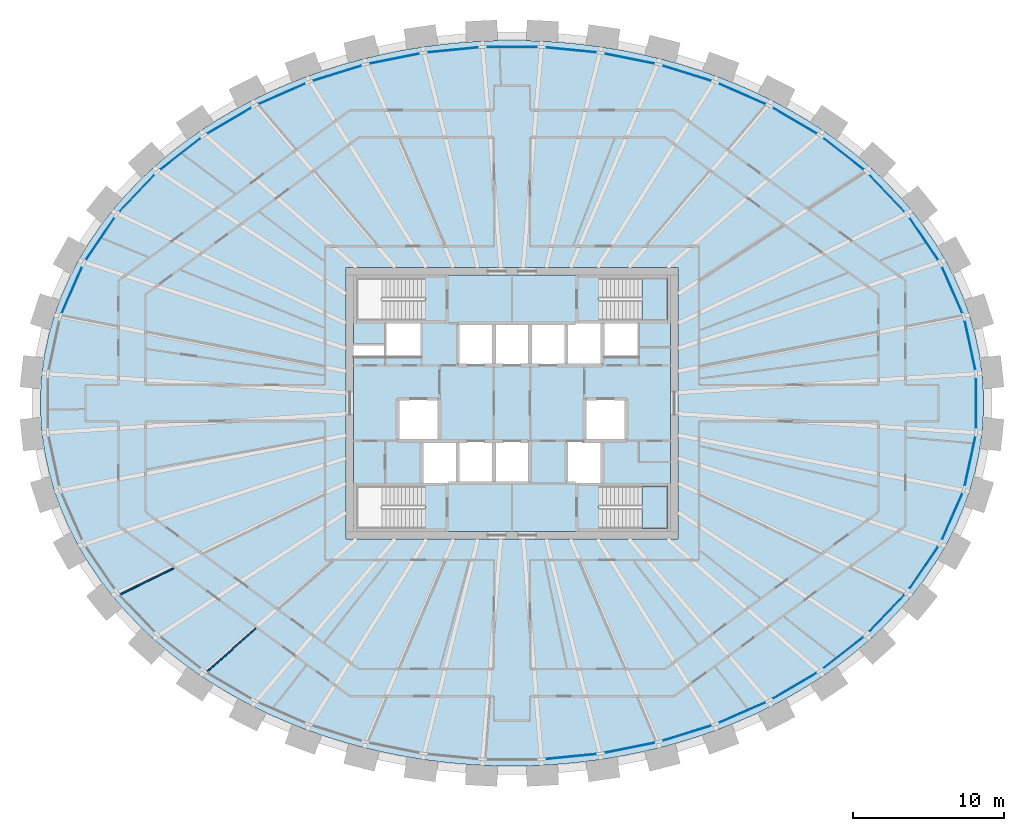
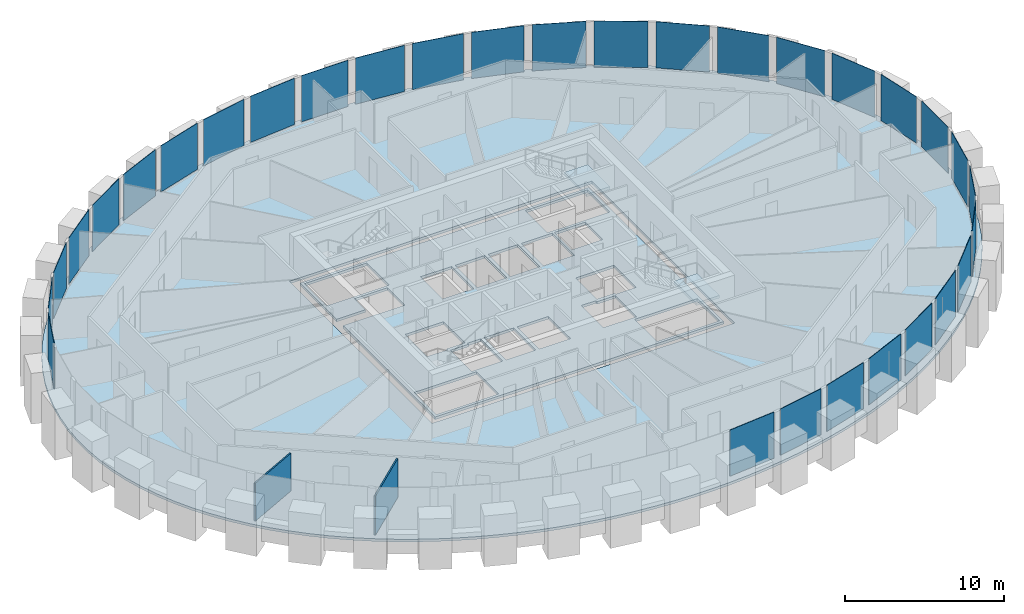
# One storey, part 5 of 12: 31 plates, 4 slabs, 2 walls, 3 elements without a shape of their own.
"""IFC4 building model written with IfcOpenShell, lengths in metres."""

from ifc_helpers import new_model, si_unit, direction, frame, frame_2d, origin, origin_2d, place, context, subcontext, project, spatial, polyline, rectangle, outline, extrude, source, transform, mapped, material, layer, layer_set, type_object, element, aggregate, save


model = new_model("IFC4")

# Units and contexts
model_context = context("Model", 3, precision=1e-05, world=origin(), true_north=direction((0.0, 1.0)))
body_context = subcontext(model_context, "Body", "Model", "MODEL_VIEW")
ifc_project = project(units=[si_unit("LENGTHUNIT", "METRE"), si_unit("AREAUNIT", "SQUARE_METRE"), si_unit("VOLUMEUNIT", "CUBIC_METRE"), si_unit("PLANEANGLEUNIT", "RADIAN"), si_unit("MASSUNIT", "GRAM", prefix="KILO")], contexts=[model_context])

# Site, building, storey
site_placement = place(None, origin())
site = spatial("IfcSite", under=ifc_project, at=site_placement, CompositionType="ELEMENT")
building_placement = place(site_placement, origin())
building = spatial("IfcBuilding", under=site, at=building_placement, Name="Embergate Tower", CompositionType="ELEMENT")
storey_placement = place(building_placement, frame((0.0, 0.0, 281.199951171875)))
storey = spatial("IfcBuildingStorey", under=building, at=storey_placement, Name="L65", CompositionType="ELEMENT", Elevation=281.199951171875)

# Slab
ifc_material_1 = material(Name="Concrete C40", Category="concrete")
ifc_layer_1 = layer(ifc_material_1, 0.199951171875)
ifc_layer_set_1 = layer_set([ifc_layer_1], Name="Concrete C40")
slab_type_1 = type_object("IfcSlabType", Name="Composite floor slab C40 200", PredefinedType="FLOOR", material=ifc_layer_set_1)
shared_shape_1 = source(origin(), body_context, "Body", "SweptSolid", [
    extrude(outline(polyline([(0.0, 0.0), (1.32177734375, 0.0), (2.643798828125, 0.04296875), (3.9658203125, 0.130126953125), (5.282958984375, 0.259033203125), (6.5908203125, 0.430908203125), (7.90087890625, 0.64794921875), (9.197998046875, 0.908935546875), (10.47900390625, 1.2109375), (11.762939453125, 1.56201171875), (13.02490234375, 1.955078125), (14.264892578125, 2.39013671875), (15.505859375, 2.8779296875), (16.7177734375, 3.407958984375), (17.89794921875, 3.97900390625), (19.076904296875, 4.60791015625), (20.216796875, 5.279052734375), (21.31591796875, 5.988037109375), (22.406982421875, 6.762939453125), (23.449951171875, 7.576904296875), (24.44091796875, 8.427001953125), (25.412841796875, 9.34814453125), (26.325927734375, 10.304931640625), (27.17578125, 11.296142578125), (27.990966796875, 12.35791015625), (28.73388671875, 13.450927734375), (29.40380859375, 14.572021484375), (30.016845703125, 15.759033203125), (30.5478515625, 16.968994140625), (30.994873046875, 18.199951171875), (31.36376953125, 19.47802734375), (31.641845703125, 20.77001953125), (31.827880859375, 22.071044921875), (31.921875, 23.39013671875), (31.921875, 24.7119140625), (31.827880859375, 26.031005859375), (31.641845703125, 27.33203125), (31.36376953125, 28.6240234375), (30.994873046875, 29.902099609375), (30.5478515625, 31.133056640625), (30.016845703125, 32.343017578125), (29.40380859375, 33.530029296875), (28.73388671875, 34.651123046875), (27.990966796875, 35.744140625), (27.17578125, 36.805908203125), (26.325927734375, 37.797119140625), (25.412841796875, 38.75390625), (24.44091796875, 39.675048828125), (23.449951171875, 40.525146484375), (22.406982421875, 41.339111328125), (21.31591796875, 42.114013671875), (20.216796875, 42.822998046875), (19.076904296875, 43.494140625), (17.89794921875, 44.123046875), (16.7177734375, 44.694091796875), (15.505859375, 45.22412109375), (14.264892578125, 45.7119140625), (13.02490234375, 46.14697265625), (11.762939453125, 46.5400390625), (10.47900390625, 46.89111328125), (9.197998046875, 47.193115234375), (7.90087890625, 47.4541015625), (6.5908203125, 47.671142578125), (5.282958984375, 47.843017578125), (3.9658203125, 47.971923828125), (2.643798828125, 48.05908203125), (1.32177734375, 48.10205078125), (0.0, 48.10205078125), (-1.322021484375, 48.05908203125), (-2.64404296875, 47.971923828125), (-3.961181640625, 47.843017578125), (-5.26904296875, 47.671142578125), (-6.5791015625, 47.4541015625), (-7.876220703125, 47.193115234375), (-9.1572265625, 46.89111328125), (-10.441162109375, 46.5400390625), (-11.703125, 46.14697265625), (-12.943115234375, 45.7119140625), (-14.18408203125, 45.22412109375), (-15.39599609375, 44.694091796875), (-16.576171875, 44.123046875), (-17.755126953125, 43.494140625), (-18.89501953125, 42.822998046875), (-19.994140625, 42.114013671875), (-21.085205078125, 41.339111328125), (-22.128173828125, 40.525146484375), (-23.119140625, 39.675048828125), (-24.091064453125, 38.75390625), (-25.004150390625, 37.797119140625), (-25.85400390625, 36.805908203125), (-26.669189453125, 35.744140625), (-27.412109375, 34.651123046875), (-28.08203125, 33.530029296875), (-28.695068359375, 32.343017578125), (-29.22607421875, 31.133056640625), (-29.673095703125, 29.902099609375), (-30.0419921875, 28.6240234375), (-30.320068359375, 27.33203125), (-30.506103515625, 26.031005859375), (-30.60009765625, 24.7119140625), (-30.60009765625, 23.39013671875), (-30.506103515625, 22.071044921875), (-30.320068359375, 20.77001953125), (-30.0419921875, 19.47802734375), (-29.673095703125, 18.199951171875), (-29.22607421875, 16.968994140625), (-28.695068359375, 15.759033203125), (-28.08203125, 14.572021484375), (-27.412109375, 13.450927734375), (-26.669189453125, 12.35791015625), (-25.85400390625, 11.296142578125), (-25.004150390625, 10.304931640625), (-24.091064453125, 9.34814453125), (-23.119140625, 8.427001953125), (-22.128173828125, 7.576904296875), (-21.085205078125, 6.762939453125), (-19.994140625, 5.988037109375), (-18.89501953125, 5.279052734375), (-17.755126953125, 4.60791015625), (-16.576171875, 3.97900390625), (-15.39599609375, 3.407958984375), (-14.18408203125, 2.8779296875), (-12.943115234375, 2.39013671875), (-11.703125, 1.955078125), (-10.441162109375, 1.56201171875), (-9.1572265625, 1.2109375), (-7.876220703125, 0.908935546875), (-6.5791015625, 0.64794921875), (-5.26904296875, 0.430908203125), (-3.961181640625, 0.259033203125), (-2.64404296875, 0.130126953125), (-1.322021484375, 0.04296875), (0.0, 0.0)]), holes=[polyline([(-10.339111328125, 15.051025390625), (-10.339111328125, 33.051025390625), (11.660888671875, 33.051025390625), (11.660888671875, 15.051025390625), (-10.339111328125, 15.051025390625)])]), origin(), (0.0, 0.0, 1.0), 0.199951171875),
])
slab_1_placement = place(storey_placement, frame((-0.660888671875, -24.051025390625, -0.199951171875)))
element("IfcSlab", 1, at=slab_1_placement, inside=storey, type_object=slab_type_1, Name="SLB-L65-00", PredefinedType="FLOOR", context=body_context, shape_type="MappedRepresentation", body=[
    mapped(shared_shape_1, transform((0.0, 0.0, 0.0))),
])

# Curtain wall, plates
ifc_material_2 = material(Name="Aluminium and glass", Category="aluminium")
curtain_wall_type = type_object("IfcCurtainWallType", Name="Recessed office glazing", PredefinedType="NOTDEFINED", material=ifc_material_2)
curtain_wall_placement = place(storey_placement, origin())
curtain_wall = element("IfcCurtainWall", 2, at=curtain_wall_placement, inside=storey, type_object=curtain_wall_type, Name="Recessed office glazing ring", ObjectType="RECESSED OFFICE GLAZING", PredefinedType="USERDEFINED")
ifc_material_3 = material(Name="Triple glazing, low-emissivity coating", Category="glass")
ifc_layer_2 = layer(ifc_material_3, 0.035888671875)
ifc_layer_set_2 = layer_set([ifc_layer_2], Name="Triple glazing, low-emissivity coating")
plate_type = type_object("IfcPlateType", Name="Office glazing unit", PredefinedType="CURTAIN_PANEL", material=ifc_layer_set_2)
shared_shape_2 = source(origin(), body_context, "Body", "SweptSolid", [
    extrude(rectangle(XDim=3.359130859375, YDim=0.035888671875, at=origin_2d()), origin(), (0.0, 0.0, 1.0), 3.550048828125),
])
plate_1_placement = place(storey_placement, frame((30.37109375, 3.834228515625, 0.14990234375), z_axis=(0.0, 0.0, 1.0), x_axis=(-0.210401803698, 0.977614996305, 0.0)))
plate_1 = element("IfcPlate", 3, at=plate_1_placement, type_object=plate_type, Name="CW panel 1.1", PredefinedType="CURTAIN_PANEL", context=body_context, shape_type="MappedRepresentation", body=[
    mapped(shared_shape_2, transform((0.0, 0.0, 0.0))),
])
plate_2_placement = place(storey_placement, frame((30.37109375, -3.834228515625, 0.14990234375), z_axis=(0.0, 0.0, 1.0), x_axis=(0.210401803698, 0.977614996305, 0.0)))
plate_2 = element("IfcPlate", 4, at=plate_2_placement, type_object=plate_type, Name="CW panel 43.1", PredefinedType="CURTAIN_PANEL", context=body_context, shape_type="MappedRepresentation", body=[
    mapped(shared_shape_2, transform((0.0, 0.0, 0.0))),
])
shared_shape_3 = source(origin(), body_context, "Body", "SweptSolid", [
    extrude(rectangle(XDim=3.36572265625, YDim=0.035888671875, at=origin_2d()), origin(), (0.0, 0.0, 1.0), 3.550048828125),
])
plate_3_placement = place(storey_placement, frame((29.1826171875, 7.509765625, 0.14990234375), z_axis=(0.0, 0.0, 1.0), x_axis=(-0.401658494584, 0.915789524797, 0.0)))
plate_3 = element("IfcPlate", 5, at=plate_3_placement, type_object=plate_type, Name="CW panel 2.1", PredefinedType="CURTAIN_PANEL", context=body_context, shape_type="MappedRepresentation", body=[
    mapped(shared_shape_3, transform((0.0, 0.0, 0.0))),
])
plate_4_placement = place(storey_placement, frame((-29.1826171875, 7.509765625, 0.14990234375), z_axis=(0.0, 0.0, 1.0), x_axis=(-0.401658494584, -0.915789524797, 0.0)))
plate_4 = element("IfcPlate", 6, at=plate_4_placement, type_object=plate_type, Name="CW panel 20.1", PredefinedType="CURTAIN_PANEL", context=body_context, shape_type="MappedRepresentation", body=[
    mapped(shared_shape_3, transform((0.0, 0.0, 0.0))),
])
plate_5_placement = place(storey_placement, frame((29.1826171875, -7.509765625, 0.14990234375), z_axis=(0.0, 0.0, 1.0), x_axis=(0.401658494584, 0.915789524797, 0.0)))
plate_5 = element("IfcPlate", 7, at=plate_5_placement, type_object=plate_type, Name="CW panel 42.1", PredefinedType="CURTAIN_PANEL", context=body_context, shape_type="MappedRepresentation", body=[
    mapped(shared_shape_3, transform((0.0, 0.0, 0.0))),
])
shared_shape_4 = source(origin(), body_context, "Body", "SweptSolid", [
    extrude(rectangle(XDim=3.37451171875, YDim=0.035888671875, at=origin_2d()), origin(), (0.0, 0.0, 1.0), 3.550048828125),
])
plate_6_placement = place(storey_placement, frame((27.30712890625, 10.899169921875, 0.14990234375), z_axis=(0.0, 0.0, 1.0), x_axis=(-0.562347514787, 0.826901005328, 0.0)))
plate_6 = element("IfcPlate", 8, at=plate_6_placement, type_object=plate_type, Name="CW panel 3.1", PredefinedType="CURTAIN_PANEL", context=body_context, shape_type="MappedRepresentation", body=[
    mapped(shared_shape_4, transform((0.0, 0.0, 0.0))),
])
plate_7_placement = place(storey_placement, frame((-27.30712890625, 10.899169921875, 0.14990234375), z_axis=(0.0, 0.0, 1.0), x_axis=(-0.562347514787, -0.826901005328, 0.0)))
plate_7 = element("IfcPlate", 9, at=plate_7_placement, type_object=plate_type, Name="CW panel 19.1", PredefinedType="CURTAIN_PANEL", context=body_context, shape_type="MappedRepresentation", body=[
    mapped(shared_shape_4, transform((0.0, 0.0, 0.0))),
])
plate_8_placement = place(storey_placement, frame((27.30712890625, -10.899169921875, 0.14990234375), z_axis=(0.0, 0.0, 1.0), x_axis=(0.562347514787, 0.826901005328, 0.0)))
plate_8 = element("IfcPlate", 10, at=plate_8_placement, type_object=plate_type, Name="CW panel 41.1", PredefinedType="CURTAIN_PANEL", context=body_context, shape_type="MappedRepresentation", body=[
    mapped(shared_shape_4, transform((0.0, 0.0, 0.0))),
])
shared_shape_5 = source(origin(), body_context, "Body", "SweptSolid", [
    extrude(rectangle(XDim=3.3828125, YDim=0.035888671875, at=origin_2d()), origin(), (0.0, 0.0, 1.0), 3.550048828125),
])
plate_9_placement = place(storey_placement, frame((24.865478515625, 13.921630859375, 0.14990234375), z_axis=(0.0, 0.0, 1.0), x_axis=(-0.6901388367, 0.723676990154, 0.0)))
plate_9 = element("IfcPlate", 11, at=plate_9_placement, type_object=plate_type, Name="CW panel 4.1", PredefinedType="CURTAIN_PANEL", context=body_context, shape_type="MappedRepresentation", body=[
    mapped(shared_shape_5, transform((0.0, 0.0, 0.0))),
])
plate_10_placement = place(storey_placement, frame((-24.865478515625, 13.921630859375, 0.14990234375), z_axis=(0.0, 0.0, 1.0), x_axis=(-0.6901388367, -0.723676990154, 0.0)))
plate_10 = element("IfcPlate", 12, at=plate_10_placement, type_object=plate_type, Name="CW panel 18.1", PredefinedType="CURTAIN_PANEL", context=body_context, shape_type="MappedRepresentation", body=[
    mapped(shared_shape_5, transform((0.0, 0.0, 0.0))),
])
plate_11_placement = place(storey_placement, frame((24.865478515625, -13.921630859375, 0.14990234375), z_axis=(0.0, 0.0, 1.0), x_axis=(0.6901388367, 0.723676990154, 0.0)))
plate_11 = element("IfcPlate", 13, at=plate_11_placement, type_object=plate_type, Name="CW panel 40.1", PredefinedType="CURTAIN_PANEL", context=body_context, shape_type="MappedRepresentation", body=[
    mapped(shared_shape_5, transform((0.0, 0.0, 0.0))),
])
shared_shape_6 = source(origin(), body_context, "Body", "SweptSolid", [
    extrude(rectangle(XDim=3.390380859375, YDim=0.035888671875, at=origin_2d()), origin(), (0.0, 0.0, 1.0), 3.550048828125),
])
plate_12_placement = place(storey_placement, frame((21.977294921875, 16.536865234375, 0.14990234375), z_axis=(0.0, 0.0, 1.0), x_axis=(-0.788323340765, 0.615261172515, 0.0)))
plate_12 = element("IfcPlate", 14, at=plate_12_placement, type_object=plate_type, Name="CW panel 5.1", PredefinedType="CURTAIN_PANEL", context=body_context, shape_type="MappedRepresentation", body=[
    mapped(shared_shape_6, transform((0.0, 0.0, 0.0))),
])
plate_13_placement = place(storey_placement, frame((-21.977294921875, 16.536865234375, 0.14990234375), z_axis=(0.0, 0.0, 1.0), x_axis=(-0.788323340765, -0.615261172515, 0.0)))
plate_13 = element("IfcPlate", 15, at=plate_13_placement, type_object=plate_type, Name="CW panel 17.1", PredefinedType="CURTAIN_PANEL", context=body_context, shape_type="MappedRepresentation", body=[
    mapped(shared_shape_6, transform((0.0, 0.0, 0.0))),
])
plate_14_placement = place(storey_placement, frame((21.977294921875, -16.536865234375, 0.14990234375), z_axis=(0.0, 0.0, 1.0), x_axis=(0.788323340765, 0.615261172515, 0.0)))
plate_14 = element("IfcPlate", 16, at=plate_14_placement, type_object=plate_type, Name="CW panel 39.1", PredefinedType="CURTAIN_PANEL", context=body_context, shape_type="MappedRepresentation", body=[
    mapped(shared_shape_6, transform((0.0, 0.0, 0.0))),
])
shared_shape_7 = source(origin(), body_context, "Body", "SweptSolid", [
    extrude(rectangle(XDim=3.39599609375, YDim=0.035888671875, at=origin_2d()), origin(), (0.0, 0.0, 1.0), 3.550048828125),
])
plate_15_placement = place(storey_placement, frame((18.748046875, 18.732177734375, 0.14990234375), z_axis=(0.0, 0.0, 1.0), x_axis=(-0.862054936934, 0.506814843614, 0.0)))
plate_15 = element("IfcPlate", 17, at=plate_15_placement, type_object=plate_type, Name="CW panel 6.1", PredefinedType="CURTAIN_PANEL", context=body_context, shape_type="MappedRepresentation", body=[
    mapped(shared_shape_7, transform((0.0, 0.0, 0.0))),
])
plate_16_placement = place(storey_placement, frame((-18.748046875, 18.732177734375, 0.14990234375), z_axis=(0.0, 0.0, 1.0), x_axis=(-0.862054936934, -0.506814843614, 0.0)))
plate_16 = element("IfcPlate", 18, at=plate_16_placement, type_object=plate_type, Name="CW panel 16.1", PredefinedType="CURTAIN_PANEL", context=body_context, shape_type="MappedRepresentation", body=[
    mapped(shared_shape_7, transform((0.0, 0.0, 0.0))),
])
plate_17_placement = place(storey_placement, frame((18.748046875, -18.732177734375, 0.14990234375), z_axis=(0.0, 0.0, 1.0), x_axis=(0.862054936934, 0.506814843614, 0.0)))
plate_17 = element("IfcPlate", 19, at=plate_17_placement, type_object=plate_type, Name="CW panel 38.1", PredefinedType="CURTAIN_PANEL", context=body_context, shape_type="MappedRepresentation", body=[
    mapped(shared_shape_7, transform((0.0, 0.0, 0.0))),
])
shared_shape_8 = source(origin(), body_context, "Body", "SweptSolid", [
    extrude(rectangle(XDim=3.400634765625, YDim=0.035888671875, at=origin_2d()), origin(), (0.0, 0.0, 1.0), 3.550048828125),
])
plate_18_placement = place(storey_placement, frame((15.263916015625, 20.509765625, 0.14990234375), z_axis=(0.0, 0.0, 1.0), x_axis=(-0.916236910986, 0.400636896638, 0.0)))
plate_18 = element("IfcPlate", 20, at=plate_18_placement, type_object=plate_type, Name="CW panel 7.1", PredefinedType="CURTAIN_PANEL", context=body_context, shape_type="MappedRepresentation", body=[
    mapped(shared_shape_8, transform((0.0, 0.0, 0.0))),
])
plate_19_placement = place(storey_placement, frame((-15.263916015625, 20.509765625, 0.14990234375), z_axis=(0.0, 0.0, 1.0), x_axis=(-0.916236910986, -0.400636896638, 0.0)))
plate_19 = element("IfcPlate", 21, at=plate_19_placement, type_object=plate_type, Name="CW panel 15.1", PredefinedType="CURTAIN_PANEL", context=body_context, shape_type="MappedRepresentation", body=[
    mapped(shared_shape_8, transform((0.0, 0.0, 0.0))),
])
plate_20_placement = place(storey_placement, frame((15.263916015625, -20.509765625, 0.14990234375), z_axis=(0.0, 0.0, 1.0), x_axis=(0.916236910986, 0.400636896638, 0.0)))
plate_20 = element("IfcPlate", 22, at=plate_20_placement, type_object=plate_type, Name="CW panel 37.1", PredefinedType="CURTAIN_PANEL", context=body_context, shape_type="MappedRepresentation", body=[
    mapped(shared_shape_8, transform((0.0, 0.0, 0.0))),
])
shared_shape_9 = source(origin(), body_context, "Body", "SweptSolid", [
    extrude(rectangle(XDim=3.40380859375, YDim=0.035888671875, at=origin_2d()), origin(), (0.0, 0.0, 1.0), 3.550048828125),
])
plate_21_placement = place(storey_placement, frame((11.5947265625, 21.87841796875, 0.14990234375), z_axis=(0.0, 0.0, 1.0), x_axis=(-0.954772736126, 0.297336547283, 0.0)))
plate_21 = element("IfcPlate", 23, at=plate_21_placement, type_object=plate_type, Name="CW panel 8.1", PredefinedType="CURTAIN_PANEL", context=body_context, shape_type="MappedRepresentation", body=[
    mapped(shared_shape_9, transform((0.0, 0.0, 0.0))),
])
plate_22_placement = place(storey_placement, frame((-11.5947265625, 21.87841796875, 0.14990234375), z_axis=(0.0, 0.0, 1.0), x_axis=(-0.954772736126, -0.297336547283, 0.0)))
plate_22 = element("IfcPlate", 24, at=plate_22_placement, type_object=plate_type, Name="CW panel 14.1", PredefinedType="CURTAIN_PANEL", context=body_context, shape_type="MappedRepresentation", body=[
    mapped(shared_shape_9, transform((0.0, 0.0, 0.0))),
])
plate_23_placement = place(storey_placement, frame((11.5947265625, -21.87841796875, 0.14990234375), z_axis=(0.0, 0.0, 1.0), x_axis=(0.954772736126, 0.297336547283, 0.0)))
plate_23 = element("IfcPlate", 25, at=plate_23_placement, type_object=plate_type, Name="CW panel 36.1", PredefinedType="CURTAIN_PANEL", context=body_context, shape_type="MappedRepresentation", body=[
    mapped(shared_shape_9, transform((0.0, 0.0, 0.0))),
])
shared_shape_10 = source(origin(), body_context, "Body", "SweptSolid", [
    extrude(rectangle(XDim=3.406005859375, YDim=0.035888671875, at=origin_2d()), origin(), (0.0, 0.0, 1.0), 3.550048828125),
])
plate_24_placement = place(storey_placement, frame((7.796875, 22.847900390625, 0.14990234375), z_axis=(0.0, 0.0, 1.0), x_axis=(-0.980475907409, 0.196639250889, 0.0)))
plate_24 = element("IfcPlate", 26, at=plate_24_placement, type_object=plate_type, Name="CW panel 9.1", PredefinedType="CURTAIN_PANEL", context=body_context, shape_type="MappedRepresentation", body=[
    mapped(shared_shape_10, transform((0.0, 0.0, 0.0))),
])
plate_25_placement = place(storey_placement, frame((-7.796875, 22.847900390625, 0.14990234375), z_axis=(0.0, 0.0, 1.0), x_axis=(-0.980475907409, -0.196639250889, 0.0)))
plate_25 = element("IfcPlate", 27, at=plate_25_placement, type_object=plate_type, Name="CW panel 13.1", PredefinedType="CURTAIN_PANEL", context=body_context, shape_type="MappedRepresentation", body=[
    mapped(shared_shape_10, transform((0.0, 0.0, 0.0))),
])
plate_26_placement = place(storey_placement, frame((7.796875, -22.847900390625, 0.14990234375), z_axis=(0.0, 0.0, 1.0), x_axis=(0.980475907409, 0.196639250889, 0.0)))
plate_26 = element("IfcPlate", 28, at=plate_26_placement, type_object=plate_type, Name="CW panel 35.1", PredefinedType="CURTAIN_PANEL", context=body_context, shape_type="MappedRepresentation", body=[
    mapped(shared_shape_10, transform((0.0, 0.0, 0.0))),
])
shared_shape_11 = source(origin(), body_context, "Body", "SweptSolid", [
    extrude(rectangle(XDim=3.4072265625, YDim=0.035888671875, at=origin_2d()), origin(), (0.0, 0.0, 1.0), 3.550048828125),
])
plate_27_placement = place(storey_placement, frame((3.91796875, 23.426025390625, 0.14990234375), z_axis=(0.0, 0.0, 1.0), x_axis=(-0.995203184788, 0.097829550688, 0.0)))
plate_27 = element("IfcPlate", 29, at=plate_27_placement, type_object=plate_type, Name="CW panel 10.1", PredefinedType="CURTAIN_PANEL", context=body_context, shape_type="MappedRepresentation", body=[
    mapped(shared_shape_11, transform((0.0, 0.0, 0.0))),
])
plate_28_placement = place(storey_placement, frame((-3.91796875, 23.426025390625, 0.14990234375), z_axis=(0.0, 0.0, 1.0), x_axis=(-0.995203184788, -0.097829550688, 0.0)))
plate_28 = element("IfcPlate", 30, at=plate_28_placement, type_object=plate_type, Name="CW panel 12.1", PredefinedType="CURTAIN_PANEL", context=body_context, shape_type="MappedRepresentation", body=[
    mapped(shared_shape_11, transform((0.0, 0.0, 0.0))),
])
plate_29_placement = place(storey_placement, frame((3.91796875, -23.426025390625, 0.14990234375), z_axis=(0.0, 0.0, 1.0), x_axis=(0.995203184788, 0.097829550688, 0.0)))
plate_29 = element("IfcPlate", 31, at=plate_29_placement, type_object=plate_type, Name="CW panel 34.1", PredefinedType="CURTAIN_PANEL", context=body_context, shape_type="MappedRepresentation", body=[
    mapped(shared_shape_11, transform((0.0, 0.0, 0.0))),
])
shared_shape_12 = source(origin(), body_context, "Body", "SweptSolid", [
    extrude(rectangle(XDim=3.40771484375, YDim=0.035888671875, at=origin_2d()), origin(), (0.0, 0.0, 1.0), 3.550048828125),
])
plate_30_placement = place(storey_placement, frame((0.0, 23.6181640625, 0.14990234375), z_axis=(0.0, 0.0, 1.0), x_axis=(-1.0, 0.0, 0.0)))
plate_30 = element("IfcPlate", 32, at=plate_30_placement, type_object=plate_type, Name="CW panel 11.1", PredefinedType="CURTAIN_PANEL", context=body_context, shape_type="MappedRepresentation", body=[
    mapped(shared_shape_12, transform((0.0, 0.0, 0.0))),
])
shared_shape_13 = source(origin(), body_context, "Body", "SweptSolid", [
    extrude(rectangle(XDim=3.3564453125, YDim=0.035888671875, at=origin_2d()), origin(), (0.0, 0.0, 1.0), 3.550048828125),
])
plate_31_placement = place(storey_placement, frame((30.779052734375, 0.0, 0.14990234375), z_axis=(0.0, 0.0, 1.0), x_axis=(0.0, 1.0, 0.0)))
plate_31 = element("IfcPlate", 33, at=plate_31_placement, type_object=plate_type, Name="CW panel 44.1", PredefinedType="CURTAIN_PANEL", context=body_context, shape_type="MappedRepresentation", body=[
    mapped(shared_shape_13, transform((0.0, 0.0, 0.0))),
])
aggregate(curtain_wall, [plate_1, plate_3, plate_6, plate_9, plate_12, plate_15, plate_18, plate_21, plate_24, plate_27, plate_30, plate_28, plate_25, plate_22, plate_19, plate_16, plate_13, plate_10, plate_7, plate_4, plate_29, plate_26, plate_23, plate_20, plate_17, plate_14, plate_11, plate_8, plate_5, plate_2, plate_31])

# Stair, slab
ifc_material_4 = material(Name="Exit stair")
stair_type = type_object("IfcStairType", Name="Exit stair", PredefinedType="HALF_TURN_STAIR", material=ifc_material_4)
stair_1_placement = place(storey_placement, origin())
stair_1 = element("IfcStair", 34, at=stair_1_placement, inside=storey, type_object=stair_type, Name="L65 Exit stair 2", PredefinedType="HALF_TURN_STAIR")
ifc_layer_3 = layer(ifc_material_1, 0.199951171875)
ifc_layer_set_3 = layer_set([ifc_layer_3], Name="Concrete C40")
slab_type_2 = type_object("IfcSlabType", Name="Stair landing reinforced concrete", PredefinedType="LANDING", material=ifc_layer_set_3)
shared_shape_14 = source(origin(), body_context, "Body", "SweptSolid", [
    extrude(outline(polyline([(0.0, 0.0), (1.68994140625, 0.0), (1.68994140625, 2.800048828125), (0.0, 2.800048828125), (0.0, 0.0)])), origin(), (0.0, 0.0, 1.0), 0.199951171875),
])
slab_2_placement = place(storey_placement, frame((8.610107421875, 5.5, 1.75)))
slab_2 = element("IfcSlab", 35, at=slab_2_placement, type_object=slab_type_2, Name="ST2 landing 1", PredefinedType="LANDING", context=body_context, shape_type="MappedRepresentation", body=[
    mapped(shared_shape_14, transform((0.0, 0.0, 0.0))),
])
aggregate(stair_1, [slab_2])

stair_2_placement = place(storey_placement, origin())
stair_2 = element("IfcStair", 36, at=stair_2_placement, inside=storey, type_object=stair_type, Name="L65 Exit stair 4", PredefinedType="HALF_TURN_STAIR")
slab_3_placement = place(storey_placement, frame((8.610107421875, -8.300048828125, 1.75)))
slab_3 = element("IfcSlab", 37, at=slab_3_placement, type_object=slab_type_2, Name="ST4 landing 1", PredefinedType="LANDING", context=body_context, shape_type="MappedRepresentation", body=[
    mapped(shared_shape_14, transform((0.0, 0.0, 0.0))),
])
aggregate(stair_2, [slab_3])

# Slab
ifc_layer_4 = layer(ifc_material_1, 0.199951171875)
ifc_layer_set_4 = layer_set([ifc_layer_4], Name="Concrete C40")
slab_type_3 = type_object("IfcSlabType", Name="Core floor slab 200 reinforced concrete", PredefinedType="FLOOR", material=ifc_layer_set_4)
shared_shape_15 = source(origin(), body_context, "Body", "SweptSolid", [
    extrude(outline(polyline([(0.0, 0.0), (21.0, 0.0), (21.0, 17.0), (0.0, 17.0), (0.0, 12.39990234375), (2.10009765625, 12.39990234375), (2.10009765625, 13.800048828125), (4.5, 13.800048828125), (4.5, 11.60009765625), (2.10009765625, 11.60009765625), (0.0, 11.60009765625), (0.0, 0.0)]), holes=[polyline([(0.199951171875, 0.199951171875), (0.199951171875, 3.0), (4.739990234375, 3.0), (4.739990234375, 0.199951171875), (0.199951171875, 0.199951171875)]), polyline([(16.260009765625, 0.199951171875), (16.260009765625, 3.0), (20.800048828125, 3.0), (20.800048828125, 0.199951171875), (16.260009765625, 0.199951171875)]), polyline([(4.5, 3.199951171875), (4.5, 5.875), (5.824951171875, 5.875), (5.824951171875, 6.0), (6.77490234375, 6.0), (6.77490234375, 3.199951171875), (4.5, 3.199951171875)]), polyline([(7.02490234375, 3.199951171875), (7.02490234375, 6.0), (9.175048828125, 6.0), (9.175048828125, 3.199951171875), (7.02490234375, 3.199951171875)]), polyline([(9.425048828125, 3.199951171875), (9.425048828125, 6.0), (11.699951171875, 6.0), (11.699951171875, 3.199951171875), (9.425048828125, 3.199951171875)]), polyline([(14.10009765625, 3.199951171875), (14.10009765625, 6.0), (15.175048828125, 6.0), (15.175048828125, 5.875), (16.5, 5.875), (16.5, 3.199951171875), (14.10009765625, 3.199951171875)]), polyline([(2.89990234375, 6.0), (2.89990234375, 8.800048828125), (5.699951171875, 8.800048828125), (5.699951171875, 6.125), (4.375, 6.125), (4.375, 6.0), (2.89990234375, 6.0)]), polyline([(16.625, 6.0), (16.625, 6.125), (15.300048828125, 6.125), (15.300048828125, 8.800048828125), (18.10009765625, 8.800048828125), (18.10009765625, 6.0), (16.625, 6.0)]), polyline([(6.89990234375, 11.0), (6.89990234375, 13.800048828125), (9.175048828125, 13.800048828125), (9.175048828125, 11.0), (6.89990234375, 11.0)]), polyline([(9.425048828125, 11.0), (9.425048828125, 13.800048828125), (11.574951171875, 13.800048828125), (11.574951171875, 11.0), (9.425048828125, 11.0)]), polyline([(11.824951171875, 11.0), (11.824951171875, 13.800048828125), (13.97509765625, 13.800048828125), (13.97509765625, 11.0), (11.824951171875, 11.0)]), polyline([(14.22509765625, 11.0), (14.22509765625, 13.800048828125), (16.5, 13.800048828125), (16.5, 11.0), (14.22509765625, 11.0)]), polyline([(16.625, 11.60009765625), (16.625, 13.800048828125), (18.89990234375, 13.800048828125), (18.89990234375, 11.60009765625), (16.625, 11.60009765625)]), polyline([(0.199951171875, 14.0), (0.199951171875, 16.800048828125), (4.739990234375, 16.800048828125), (4.739990234375, 14.0), (0.199951171875, 14.0)]), polyline([(16.260009765625, 14.0), (16.260009765625, 16.800048828125), (20.800048828125, 16.800048828125), (20.800048828125, 14.0), (16.260009765625, 14.0)])]), origin(), (0.0, 0.0, 1.0), 0.199951171875),
])
slab_4_placement = place(storey_placement, frame((-10.5, -8.5, -0.199951171875)))
element("IfcSlab", 38, at=slab_4_placement, inside=storey, type_object=slab_type_3, Name="Core floor slab", PredefinedType="FLOOR", context=body_context, shape_type="MappedRepresentation", body=[
    mapped(shared_shape_15, transform((0.0, 0.0, 0.0))),
])

# Walls
ifc_material_5 = material(Name="Partition dry-lined 100")
ifc_layer_5 = layer(ifc_material_5, 0.10009765625)
ifc_layer_set_5 = layer_set([ifc_layer_5], Name="Partition dry-lined 100")
wall_type = type_object("IfcWallType", Name="Partition dry-lined 100", PredefinedType="PARTITIONING", material=ifc_layer_set_5)
shared_shape_16 = source(origin(), body_context, "Body", "SweptSolid", [
    extrude(rectangle(XDim=4.38232421875, YDim=0.10009765625, at=frame_2d((2.191162109375, 0.0))), origin(), (0.0, 0.0, 1.0), 3.0),
])
wall_1_placement = place(storey_placement, frame((-16.985107421875, -14.93701171875, 0.0), z_axis=(0.0, 0.0, 1.0), x_axis=(-0.750921251166, -0.660391758389, 0.0)))
element("IfcWall", 39, at=wall_1_placement, inside=storey, type_object=wall_type, Name="IP-1 wall", PredefinedType="PARTITIONING", context=body_context, shape_type="MappedRepresentation", body=[
    mapped(shared_shape_16, transform((0.0, 0.0, 0.0))),
])
shared_shape_17 = source(origin(), body_context, "Body", "SweptSolid", [
    extrude(rectangle(XDim=4.0029296875, YDim=0.10009765625, at=frame_2d((2.00146484375, 0.0))), origin(), (0.0, 0.0, 1.0), 2.900146484375),
])
wall_2_placement = place(storey_placement, frame((-22.44189453125, -10.93994140625, 0.0), z_axis=(0.0, 0.0, 1.0), x_axis=(-0.898870999174, -0.438213334853, 0.0)))
element("IfcWall", 40, at=wall_2_placement, inside=storey, type_object=wall_type, Name="IP-1 wall", PredefinedType="PARTITIONING", context=body_context, shape_type="MappedRepresentation", body=[
    mapped(shared_shape_17, transform((0.0, 0.0, 0.0))),
])

save(model, "model.ifc")
